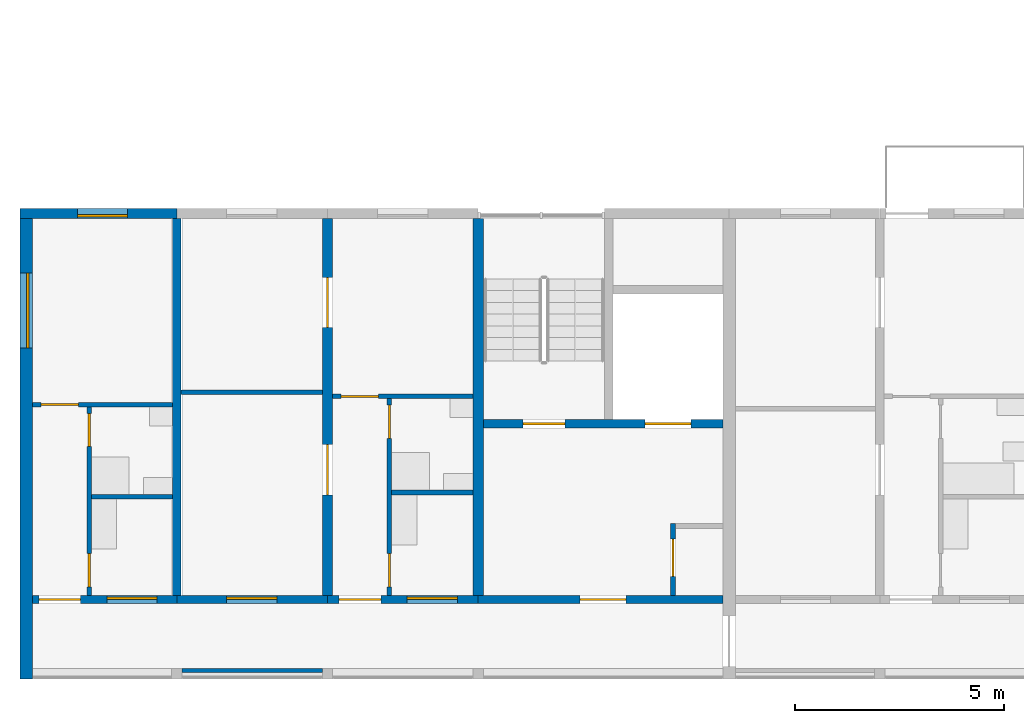
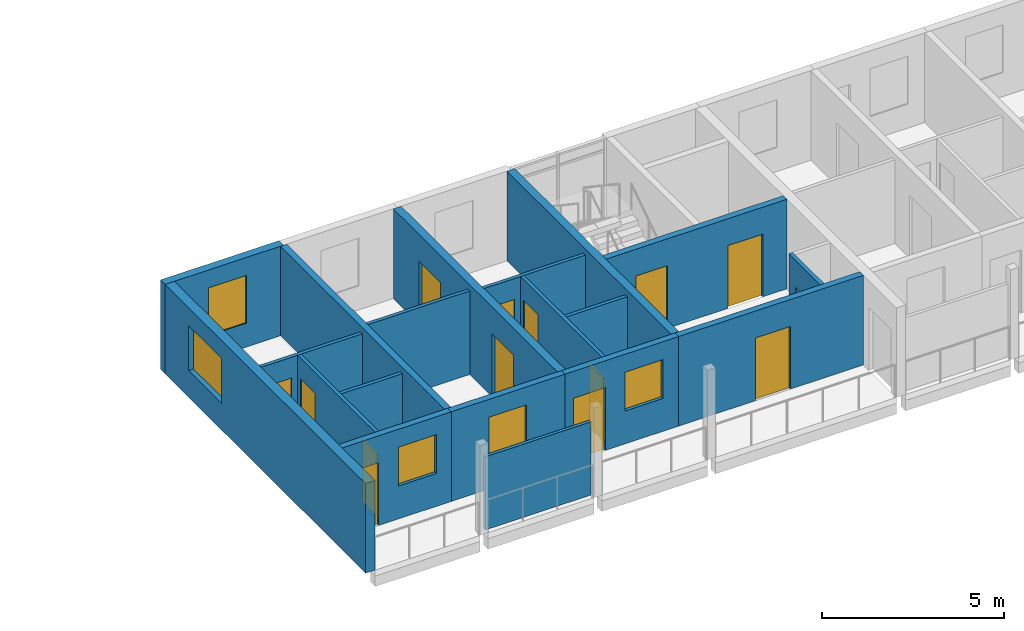
# One storey, part 28 of 99: 19 walls, 14 doors, 5 windows, 19 openings.
"""IFC4 building model written with IfcOpenShell, lengths in metres."""

from ifc_helpers import new_model, si_unit, direction, frame, frame_2d, origin, place, context, subcontext, project, spatial, rectangle, extrude, material, layer, layer_set, type_object, element, fill, save


model = new_model("IFC4")

# Units and contexts
model_context = context("Model", 3, precision=1e-05, world=origin(), true_north=direction((0.0, 1.0)))
body_context = subcontext(model_context, "Body", "Model", "MODEL_VIEW")
ifc_project = project(units=[si_unit("LENGTHUNIT", "METRE"), si_unit("AREAUNIT", "SQUARE_METRE"), si_unit("VOLUMEUNIT", "CUBIC_METRE"), si_unit("PLANEANGLEUNIT", "RADIAN"), si_unit("MASSUNIT", "GRAM", prefix="KILO")], contexts=[model_context])

# Site, building, storey
site_placement = place(None, origin())
site = spatial("IfcSite", under=ifc_project, at=site_placement, CompositionType="ELEMENT")
building_placement = place(site_placement, origin())
building = spatial("IfcBuilding", under=site, at=building_placement, Name="Ridgestep Commons", CompositionType="ELEMENT")
storey_placement = place(building_placement, frame((0.0, 0.0, 15.0)))
storey = spatial("IfcBuildingStorey", under=building, at=storey_placement, Name="L05", CompositionType="ELEMENT", Elevation=15.0)

# Wall
ifc_material_1 = material(Name="Concrete C30/37", Category="concrete")
ifc_layer_1 = layer(ifc_material_1, 0.25)
ifc_layer_set_1 = layer_set([ifc_layer_1], Name="Core cross wall 250")
wall_type_1 = type_object("IfcWallType", Name="Core cross wall 250", PredefinedType="SHEAR", material=ifc_layer_set_1)
wall_1_placement = place(storey_placement, frame((22.800048828125, 13.75, 0.0), z_axis=(0.0, 0.0, 1.0), x_axis=(0.0, 1.0, 0.0)))
element("IfcWall", 1, at=wall_1_placement, inside=storey, type_object=wall_type_1, Name="Cross wall A-05-0228", PredefinedType="SHEAR", context=body_context, shape_type="SweptSolid", body=[
    extrude(rectangle(XDim=9.0, YDim=0.25, at=frame_2d((4.5, 0.0))), origin(), (0.0, 0.0, 1.0), 3.0),
])

# Wall, opening, door
ifc_material_2 = material(Name="Concrete C30/37", Category="concrete")
ifc_layer_2 = layer(ifc_material_2, 0.199951171875)
ifc_layer_set_2 = layer_set([ifc_layer_2], Name="Core south wall 200")
wall_type_2 = type_object("IfcWallType", Name="Core south wall 200", PredefinedType="SHEAR", material=ifc_layer_set_2)
wall_2_placement = place(storey_placement, frame((22.800048828125, 13.64990234375, 0.0), z_axis=(0.0, 0.0, 1.0), x_axis=(1.0, 0.0, 0.0)))
wall_2 = element("IfcWall", 2, at=wall_2_placement, inside=storey, type_object=wall_type_2, Name="Core south wall A1C L05", PredefinedType="SHEAR", context=body_context, shape_type="SweptSolid", body=[
    extrude(rectangle(XDim=5.849853515625, YDim=0.199951171875, at=frame_2d((2.9248046875, 0.0))), origin(), (0.0, 0.0, 1.0), 3.0),
])
opening_1_placement = place(wall_2_placement, frame((2.4375, 0.0, 0.0)))
opening_1 = element("IfcOpeningElement", 3, at=opening_1_placement, cuts=wall_2, Name="Opening A1C/05/1", PredefinedType="OPENING", context=body_context, shape_type="SweptSolid", body=[
    extrude(rectangle(XDim=1.10009765625, YDim=2.10009765625, at=frame_2d((0.550048828125, 1.050048828125))), frame((0.0, 0.10986328125, 0.0), z_axis=(0.0, -1.0, 0.0), x_axis=(1.0, 0.0, 0.0)), (0.0, 0.0, 1.0), 0.219970703125),
])
ifc_material_3 = material(Name="Steel fire door", Category="steel")
door_type_1 = type_object("IfcDoorType", Name="Lobby door 1100 x 2100 FD60", OperationType="NOTDEFINED", PredefinedType="DOOR", material=ifc_material_3)
door_1_placement = place(opening_1_placement, origin())
door_1 = element("IfcDoor", 4, at=door_1_placement, inside=storey, type_object=door_type_1, Name="Lobby door A1C/05/1", OperationType="SINGLE_SWING_LEFT", OverallHeight=2.10009765625, OverallWidth=1.10009765625, PredefinedType="DOOR", context=body_context, shape_type="SweptSolid", body=[
    extrude(rectangle(XDim=1.10009765625, YDim=2.10009765625, at=frame_2d((0.550048828125, 1.050048828125))), frame((0.0, 0.02490234375, 0.0), z_axis=(0.0, -1.0, 0.0), x_axis=(1.0, 0.0, 0.0)), (0.0, 0.0, 1.0), 0.050048828125),
])
fill(opening_1, door_1)

ifc_material_4 = material(Name="Concrete C30/37", Category="concrete")
ifc_layer_3 = layer(ifc_material_4, 0.1201171875)
ifc_layer_set_3 = layer_set([ifc_layer_3], Name="Core wall 120")
wall_type_3 = type_object("IfcWallType", Name="Core wall 120", PredefinedType="SHEAR", material=ifc_layer_set_3)
wall_3_placement = place(storey_placement, frame((27.4599609375, 13.75, 0.0), z_axis=(0.0, 0.0, 1.0), x_axis=(0.0, 1.0, 0.0)))
wall_3 = element("IfcWall", 5, at=wall_3_placement, inside=storey, type_object=wall_type_3, Name="Core riser w wall A1C L05", PredefinedType="SHEAR", context=body_context, shape_type="SweptSolid", body=[
    extrude(rectangle(XDim=1.719970703125, YDim=0.1201171875, at=frame_2d((0.85986328125, 0.0))), origin(), (0.0, 0.0, 1.0), 3.0),
])
opening_2_placement = place(wall_3_placement, frame((0.449951171875, 0.0, 0.0)))
opening_2 = element("IfcOpeningElement", 6, at=opening_2_placement, cuts=wall_3, Name="Opening A1C/05/4", PredefinedType="OPENING", context=body_context, shape_type="SweptSolid", body=[
    extrude(rectangle(XDim=0.89990234375, YDim=2.10009765625, at=frame_2d((0.449951171875, 1.050048828125))), frame((0.0, 0.070068359375, 0.0), z_axis=(0.0, -1.0, 0.0), x_axis=(1.0, 0.0, 0.0)), (0.0, 0.0, 1.0), 0.14013671875),
])
ifc_material_5 = material(Name="Steel fire door", Category="steel")
door_type_2 = type_object("IfcDoorType", Name="Riser door 900 x 2100 FD60", OperationType="NOTDEFINED", PredefinedType="DOOR", material=ifc_material_5)
door_2_placement = place(opening_2_placement, origin())
door_2 = element("IfcDoor", 7, at=door_2_placement, inside=storey, type_object=door_type_2, Name="Riser door A1C/05/4", OperationType="SINGLE_SWING_LEFT", OverallHeight=2.10009765625, OverallWidth=0.89990234375, PredefinedType="DOOR", context=body_context, shape_type="SweptSolid", body=[
    extrude(rectangle(XDim=0.89990234375, YDim=2.10009765625, at=frame_2d((0.449951171875, 1.050048828125))), frame((0.0, 0.02490234375, 0.0), z_axis=(0.0, -1.0, 0.0), x_axis=(1.0, 0.0, 0.0)), (0.0, 0.0, 1.0), 0.050048828125),
])
fill(opening_2, door_2)

# Wall, openings, doors
ifc_material_6 = material(Name="Concrete C30/37", Category="concrete")
ifc_layer_4 = layer(ifc_material_6, 0.199951171875)
ifc_layer_set_4 = layer_set([ifc_layer_4], Name="Core wall 200")
wall_type_4 = type_object("IfcWallType", Name="Core wall 200", PredefinedType="SHEAR", material=ifc_layer_set_4)
wall_4_placement = place(storey_placement, frame((22.925048828125, 17.85009765625, 0.0), z_axis=(0.0, 0.0, 1.0), x_axis=(1.0, 0.0, 0.0)))
wall_4 = element("IfcWall", 8, at=wall_4_placement, inside=storey, type_object=wall_type_4, Name="Core lobby wall A1C L05", PredefinedType="SHEAR", context=body_context, shape_type="SweptSolid", body=[
    extrude(rectangle(XDim=5.724853515625, YDim=0.199951171875, at=frame_2d((2.8623046875, 0.0))), origin(), (0.0, 0.0, 1.0), 3.0),
])
opening_3_placement = place(wall_4_placement, frame((0.949951171875, 0.0, 0.0)))
opening_3 = element("IfcOpeningElement", 9, at=opening_3_placement, cuts=wall_4, Name="Opening A1C/05/2", PredefinedType="OPENING", context=body_context, shape_type="SweptSolid", body=[
    extrude(rectangle(XDim=1.0, YDim=2.10009765625, at=frame_2d((0.5, 1.050048828125))), frame((0.0, 0.10986328125, 0.0), z_axis=(0.0, -1.0, 0.0), x_axis=(1.0, 0.0, 0.0)), (0.0, 0.0, 1.0), 0.219970703125),
])
opening_4_placement = place(wall_4_placement, frame((3.862548828125, 0.0, 0.0)))
opening_4 = element("IfcOpeningElement", 10, at=opening_4_placement, cuts=wall_4, Name="Opening A1C/05/3", PredefinedType="OPENING", context=body_context, shape_type="SweptSolid", body=[
    extrude(rectangle(XDim=1.10009765625, YDim=2.10009765625, at=frame_2d((0.550048828125, 1.050048828125))), frame((0.0, 0.10986328125, 0.0), z_axis=(0.0, -1.0, 0.0), x_axis=(1.0, 0.0, 0.0)), (0.0, 0.0, 1.0), 0.219970703125),
])
ifc_material_7 = material(Name="Stainless steel", Category="steel")
door_type_3 = type_object("IfcDoorType", Name="Lift landing door 1100 x 2100 FD60", OperationType="DOUBLE_DOOR_SLIDING", PredefinedType="DOOR", material=ifc_material_7)
door_3_placement = place(opening_4_placement, origin())
door_3 = element("IfcDoor", 11, at=door_3_placement, inside=storey, type_object=door_type_3, Name="Landing door LD A1C L05", OperationType="DOUBLE_DOOR_SLIDING", OverallHeight=2.10009765625, OverallWidth=1.10009765625, PredefinedType="DOOR", context=body_context, shape_type="SweptSolid", body=[
    extrude(rectangle(XDim=1.10009765625, YDim=2.10009765625, at=frame_2d((0.550048828125, 1.050048828125))), frame((0.0, 0.02490234375, 0.0), z_axis=(0.0, -1.0, 0.0), x_axis=(1.0, 0.0, 0.0)), (0.0, 0.0, 1.0), 0.050048828125),
])
fill(opening_4, door_3)
ifc_material_8 = material(Name="Steel fire door", Category="steel")
door_type_4 = type_object("IfcDoorType", Name="Stair door 1000 x 2100 FD60", OperationType="NOTDEFINED", PredefinedType="DOOR", material=ifc_material_8)
door_4_placement = place(opening_3_placement, origin())
door_4 = element("IfcDoor", 12, at=door_4_placement, inside=storey, type_object=door_type_4, Name="Stair door A1C/05/2", OperationType="SINGLE_SWING_RIGHT", OverallHeight=2.10009765625, OverallWidth=1.0, PredefinedType="DOOR", context=body_context, shape_type="SweptSolid", body=[
    extrude(rectangle(XDim=1.0, YDim=2.10009765625, at=frame_2d((0.5, 1.050048828125))), frame((0.0, 0.02490234375, 0.0), z_axis=(0.0, -1.0, 0.0), x_axis=(1.0, 0.0, 0.0)), (0.0, 0.0, 1.0), 0.050048828125),
])
fill(opening_3, door_4)

# Wall
ifc_material_9 = material(Name="Precast concrete C40/50", Category="concrete")
ifc_layer_5 = layer(ifc_material_9, 0.199951171875)
ifc_layer_set_5 = layer_set([ifc_layer_5], Name="Cross wall 200")
wall_type_5 = type_object("IfcWallType", Name="Cross wall 200", PredefinedType="SHEAR", material=ifc_layer_set_5)
wall_5_placement = place(storey_placement, frame((15.60009765625, 13.75, 0.0), z_axis=(0.0, 0.0, 1.0), x_axis=(0.0, 1.0, 0.0)))
element("IfcWall", 13, at=wall_5_placement, inside=storey, type_object=wall_type_5, Name="Cross wall A-05-0156", PredefinedType="SHEAR", context=body_context, shape_type="SweptSolid", body=[
    extrude(rectangle(XDim=9.0, YDim=0.199951171875, at=frame_2d((4.5, 0.0))), origin(), (0.0, 0.0, 1.0), 3.0),
])

# Wall, openings, doors
ifc_material_10 = material(Name="Precast concrete C40/50", Category="concrete")
ifc_layer_6 = layer(ifc_material_10, 0.25)
ifc_layer_set_6 = layer_set([ifc_layer_6], Name="Cross wall 250")
wall_type_6 = type_object("IfcWallType", Name="Cross wall 250", PredefinedType="SHEAR", material=ifc_layer_set_6)
wall_6_placement = place(storey_placement, frame((19.199951171875, 13.75, 0.0), z_axis=(0.0, 0.0, 1.0), x_axis=(0.0, 1.0, 0.0)))
wall_6 = element("IfcWall", 14, at=wall_6_placement, inside=storey, type_object=wall_type_6, Name="Cross wall A-05-0192", PredefinedType="SHEAR", context=body_context, shape_type="SweptSolid", body=[
    extrude(rectangle(XDim=9.0, YDim=0.25, at=frame_2d((4.5, 0.0))), origin(), (0.0, 0.0, 1.0), 3.0),
])
opening_5_placement = place(wall_6_placement, frame((2.39990234375, 0.0, 0.0)))
opening_5 = element("IfcOpeningElement", 15, at=opening_5_placement, cuts=wall_6, Name="Opening A1-05b/5", PredefinedType="OPENING", context=body_context, shape_type="SweptSolid", body=[
    extrude(rectangle(XDim=1.199951171875, YDim=2.10009765625, at=frame_2d((0.60009765625, 1.050048828125))), frame((0.0, 0.135009765625, 0.0), z_axis=(0.0, -1.0, 0.0), x_axis=(1.0, 0.0, 0.0)), (0.0, 0.0, 1.0), 0.27001953125),
])
opening_6_placement = place(wall_6_placement, frame((6.39990234375, 0.0, 0.0)))
opening_6 = element("IfcOpeningElement", 16, at=opening_6_placement, cuts=wall_6, Name="Opening A1-05b/6", PredefinedType="OPENING", context=body_context, shape_type="SweptSolid", body=[
    extrude(rectangle(XDim=1.199951171875, YDim=2.10009765625, at=frame_2d((0.60009765625, 1.050048828125))), frame((0.0, 0.135009765625, 0.0), z_axis=(0.0, -1.0, 0.0), x_axis=(1.0, 0.0, 0.0)), (0.0, 0.0, 1.0), 0.27001953125),
])
ifc_material_11 = material(Name="Timber door leaf", Category="wood")
door_type_5 = type_object("IfcDoorType", Name="Double door 1200 x 2100", OperationType="DOUBLE_DOOR_SINGLE_SWING", PredefinedType="DOOR", material=ifc_material_11)
door_5_placement = place(opening_5_placement, origin())
door_5 = element("IfcDoor", 17, at=door_5_placement, inside=storey, type_object=door_type_5, Name="Double door A1-05b/5", OperationType="DOUBLE_DOOR_SINGLE_SWING", OverallHeight=2.10009765625, OverallWidth=1.199951171875, PredefinedType="DOOR", context=body_context, shape_type="SweptSolid", body=[
    extrude(rectangle(XDim=1.199951171875, YDim=2.10009765625, at=frame_2d((0.60009765625, 1.050048828125))), frame((0.0, 0.02490234375, 0.0), z_axis=(0.0, -1.0, 0.0), x_axis=(1.0, 0.0, 0.0)), (0.0, 0.0, 1.0), 0.050048828125),
])
fill(opening_5, door_5)
door_6_placement = place(opening_6_placement, origin())
door_6 = element("IfcDoor", 18, at=door_6_placement, inside=storey, type_object=door_type_5, Name="Double door A1-05b/6", OperationType="DOUBLE_DOOR_SINGLE_SWING", OverallHeight=2.10009765625, OverallWidth=1.199951171875, PredefinedType="DOOR", context=body_context, shape_type="SweptSolid", body=[
    extrude(rectangle(XDim=1.199951171875, YDim=2.10009765625, at=frame_2d((0.60009765625, 1.050048828125))), frame((0.0, 0.02490234375, 0.0), z_axis=(0.0, -1.0, 0.0), x_axis=(1.0, 0.0, 0.0)), (0.0, 0.0, 1.0), 0.050048828125),
])
fill(opening_6, door_6)

# Wall, opening, window
ifc_material_12 = material(Name="Precast concrete C40/50", Category="concrete")
ifc_layer_7 = layer(ifc_material_12, 0.300048828125)
ifc_layer_set_7 = layer_set([ifc_layer_7], Name="Exposed division wall 300")
wall_type_7 = type_object("IfcWallType", Name="Exposed division wall 300", PredefinedType="SHEAR", material=ifc_layer_set_7)
wall_7_placement = place(storey_placement, frame((12.0, 11.75, 0.0), z_axis=(0.0, 0.0, 1.0), x_axis=(0.0, 1.0, 0.0)))
wall_7 = element("IfcWall", 19, at=wall_7_placement, inside=storey, type_object=wall_type_7, Name="Cross wall A-05-0120", PredefinedType="SHEAR", context=body_context, shape_type="SweptSolid", body=[
    extrude(rectangle(XDim=11.0, YDim=0.300048828125, at=frame_2d((5.5, 0.0))), origin(), (0.0, 0.0, 1.0), 3.0),
])
opening_7_placement = place(wall_7_placement, frame((7.905029296875, 0.0, 0.89990234375)))
opening_7 = element("IfcOpeningElement", 20, at=opening_7_placement, cuts=wall_7, Name="Opening W20", PredefinedType="OPENING", context=body_context, shape_type="SweptSolid", body=[
    extrude(rectangle(XDim=1.800048828125, YDim=1.5, at=frame_2d((0.89990234375, 0.75))), frame((0.0, 0.159912109375, 0.0), z_axis=(0.0, -1.0, 0.0), x_axis=(1.0, 0.0, 0.0)), (0.0, 0.0, 1.0), 0.320068359375),
])
ifc_material_13 = material(Name="Aluminium 6063-T6 and glass", Category="aluminium")
window_type_1 = type_object("IfcWindowType", Name="Flat window 1800 x 1500", PartitioningType="DOUBLE_PANEL_VERTICAL", PredefinedType="WINDOW", material=ifc_material_13)
window_1_placement = place(opening_7_placement, origin())
window_1 = element("IfcWindow", 21, at=window_1_placement, inside=storey, type_object=window_type_1, Name="Window A1-05a 3", OverallHeight=1.5, OverallWidth=1.800048828125, PartitioningType="SINGLE_PANEL", PredefinedType="WINDOW", context=body_context, shape_type="SweptSolid", body=[
    extrude(rectangle(XDim=1.800048828125, YDim=1.5, at=frame_2d((0.89990234375, 0.75))), frame((0.0, 0.0, 0.0), z_axis=(0.0, -1.0, 0.0), x_axis=(1.0, 0.0, 0.0)), (0.0, 0.0, 1.0), 0.06005859375),
])
fill(opening_7, window_1)

ifc_material_14 = material(Name="Precast concrete C40/50", Category="concrete")
ifc_layer_8 = layer(ifc_material_14, 0.25)
ifc_layer_set_8 = layer_set([ifc_layer_8], Name="North facade panel 250")
wall_type_8 = type_object("IfcWallType", Name="North facade panel 250", PredefinedType="SOLIDWALL", material=ifc_layer_set_8)
wall_8_placement = place(storey_placement, frame((11.85009765625, 22.875, 0.0), z_axis=(0.0, 0.0, 1.0), x_axis=(1.0, 0.0, 0.0)))
wall_8 = element("IfcWall", 22, at=wall_8_placement, inside=storey, type_object=wall_type_8, Name="North panel A1T1 L05", PredefinedType="SOLIDWALL", context=body_context, shape_type="SweptSolid", body=[
    extrude(rectangle(XDim=3.75, YDim=0.25, at=frame_2d((1.875, 0.0))), origin(), (0.0, 0.0, 1.0), 3.0),
])
opening_8_placement = place(wall_8_placement, frame((1.375, 0.0, 0.800048828125)))
opening_8 = element("IfcOpeningElement", 23, at=opening_8_placement, cuts=wall_8, Name="Opening W11", PredefinedType="OPENING", context=body_context, shape_type="SweptSolid", body=[
    extrude(rectangle(XDim=1.199951171875, YDim=1.60009765625, at=frame_2d((0.60009765625, 0.800048828125))), frame((0.0, 0.135009765625, 0.0), z_axis=(0.0, -1.0, 0.0), x_axis=(1.0, 0.0, 0.0)), (0.0, 0.0, 1.0), 0.27001953125),
])
ifc_material_15 = material(Name="Aluminium 6063-T6 and glass", Category="aluminium")
window_type_2 = type_object("IfcWindowType", Name="Flat window 1200 x 1600", PartitioningType="SINGLE_PANEL", PredefinedType="WINDOW", material=ifc_material_15)
window_2_placement = place(opening_8_placement, origin())
window_2 = element("IfcWindow", 24, at=window_2_placement, inside=storey, type_object=window_type_2, Name="Window A1-05a 2", OverallHeight=1.60009765625, OverallWidth=1.199951171875, PartitioningType="SINGLE_PANEL", PredefinedType="WINDOW", context=body_context, shape_type="SweptSolid", body=[
    extrude(rectangle(XDim=1.199951171875, YDim=1.60009765625, at=frame_2d((0.60009765625, 0.800048828125))), frame((0.0, -0.02490234375, 0.0), z_axis=(0.0, -1.0, 0.0), x_axis=(1.0, 0.0, 0.0)), (0.0, 0.0, 1.0), 0.06005859375),
])
fill(opening_8, window_2)

# Wall, openings, doors
ifc_material_16 = material(Name="Common brick 110 mm", Category="masonry")
ifc_layer_9 = layer(ifc_material_16, 0.110107421875)
ifc_layer_set_9 = layer_set([ifc_layer_9], Name="Partition 110")
wall_type_9 = type_object("IfcWallType", Name="Partition 110", PredefinedType="PARTITIONING", material=ifc_layer_set_9)
wall_9_placement = place(storey_placement, frame((13.5048828125, 13.75, 0.0), z_axis=(0.0, 0.0, 1.0), x_axis=(0.0, 1.0, 0.0)))
wall_9 = element("IfcWall", 25, at=wall_9_placement, inside=storey, type_object=wall_type_9, Name="Partition A1-05a", PredefinedType="PARTITIONING", context=body_context, shape_type="SweptSolid", body=[
    extrude(rectangle(XDim=4.5, YDim=0.110107421875, at=frame_2d((2.25, 0.0))), origin(), (0.0, 0.0, 1.0), 2.800048828125),
])
opening_9_placement = place(wall_9_placement, frame((0.199951171875, 0.0, 0.0)))
opening_9 = element("IfcOpeningElement", 26, at=opening_9_placement, cuts=wall_9, Name="Opening A1-05a/2", PredefinedType="OPENING", context=body_context, shape_type="SweptSolid", body=[
    extrude(rectangle(XDim=0.800048828125, YDim=2.10009765625, at=frame_2d((0.39990234375, 1.050048828125))), frame((0.0, 0.06494140625, 0.0), z_axis=(0.0, -1.0, 0.0), x_axis=(1.0, 0.0, 0.0)), (0.0, 0.0, 1.0), 0.130126953125),
])
opening_10_placement = place(wall_9_placement, frame((3.550048828125, 0.0, 0.0)))
opening_10 = element("IfcOpeningElement", 27, at=opening_10_placement, cuts=wall_9, Name="Opening A1-05a/3", PredefinedType="OPENING", context=body_context, shape_type="SweptSolid", body=[
    extrude(rectangle(XDim=0.800048828125, YDim=2.10009765625, at=frame_2d((0.39990234375, 1.050048828125))), frame((0.0, 0.06494140625, 0.0), z_axis=(0.0, -1.0, 0.0), x_axis=(1.0, 0.0, 0.0)), (0.0, 0.0, 1.0), 0.130126953125),
])
ifc_material_17 = material(Name="Timber door leaf", Category="wood")
door_type_6 = type_object("IfcDoorType", Name="Internal door 800 x 2100", OperationType="NOTDEFINED", PredefinedType="DOOR", material=ifc_material_17)
door_7_placement = place(opening_9_placement, origin())
door_7 = element("IfcDoor", 28, at=door_7_placement, inside=storey, type_object=door_type_6, Name="Internal door A1-05a/2", OperationType="SINGLE_SWING_RIGHT", OverallHeight=2.10009765625, OverallWidth=0.800048828125, PredefinedType="DOOR", context=body_context, shape_type="SweptSolid", body=[
    extrude(rectangle(XDim=0.800048828125, YDim=2.10009765625, at=frame_2d((0.39990234375, 1.050048828125))), frame((0.0, 0.02490234375, 0.0), z_axis=(0.0, -1.0, 0.0), x_axis=(1.0, 0.0, 0.0)), (0.0, 0.0, 1.0), 0.050048828125),
])
fill(opening_9, door_7)
door_8_placement = place(opening_10_placement, origin())
door_8 = element("IfcDoor", 29, at=door_8_placement, inside=storey, type_object=door_type_6, Name="Internal door A1-05a/3", OperationType="SINGLE_SWING_LEFT", OverallHeight=2.10009765625, OverallWidth=0.800048828125, PredefinedType="DOOR", context=body_context, shape_type="SweptSolid", body=[
    extrude(rectangle(XDim=0.800048828125, YDim=2.10009765625, at=frame_2d((0.39990234375, 1.050048828125))), frame((0.0, 0.02490234375, 0.0), z_axis=(0.0, -1.0, 0.0), x_axis=(1.0, 0.0, 0.0)), (0.0, 0.0, 1.0), 0.050048828125),
])
fill(opening_10, door_8)

# Wall
wall_10_placement = place(storey_placement, frame((13.56005859375, 16.10498046875, 0.0), z_axis=(0.0, 0.0, 1.0), x_axis=(1.0, 0.0, 0.0)))
element("IfcWall", 30, at=wall_10_placement, inside=storey, type_object=wall_type_9, Name="Partition A1-05a", PredefinedType="PARTITIONING", context=body_context, shape_type="SweptSolid", body=[
    extrude(rectangle(XDim=1.93994140625, YDim=0.110107421875, at=frame_2d((0.969970703125, 0.0))), origin(), (0.0, 0.0, 1.0), 2.800048828125),
])

# Wall, opening, door
wall_11_placement = place(storey_placement, frame((12.14990234375, 18.304931640625, 0.0), z_axis=(0.0, 0.0, 1.0), x_axis=(1.0, 0.0, 0.0)))
wall_11 = element("IfcWall", 31, at=wall_11_placement, inside=storey, type_object=wall_type_9, Name="Partition A1-05a", PredefinedType="PARTITIONING", context=body_context, shape_type="SweptSolid", body=[
    extrude(rectangle(XDim=3.35009765625, YDim=0.110107421875, at=frame_2d((1.675048828125, 0.0))), origin(), (0.0, 0.0, 1.0), 2.800048828125),
])
opening_11_placement = place(wall_11_placement, frame((0.199951171875, 0.0, 0.0)))
opening_11 = element("IfcOpeningElement", 32, at=opening_11_placement, cuts=wall_11, Name="Opening A1-05a/4", PredefinedType="OPENING", context=body_context, shape_type="SweptSolid", body=[
    extrude(rectangle(XDim=0.89990234375, YDim=2.10009765625, at=frame_2d((0.449951171875, 1.050048828125))), frame((0.0, 0.06494140625, 0.0), z_axis=(0.0, -1.0, 0.0), x_axis=(1.0, 0.0, 0.0)), (0.0, 0.0, 1.0), 0.130126953125),
])
ifc_material_18 = material(Name="Timber door leaf", Category="wood")
door_type_7 = type_object("IfcDoorType", Name="Internal door 900 x 2100", OperationType="NOTDEFINED", PredefinedType="DOOR", material=ifc_material_18)
door_9_placement = place(opening_11_placement, origin())
door_9 = element("IfcDoor", 33, at=door_9_placement, inside=storey, type_object=door_type_7, Name="Internal door A1-05a/4", OperationType="SINGLE_SWING_LEFT", OverallHeight=2.10009765625, OverallWidth=0.89990234375, PredefinedType="DOOR", context=body_context, shape_type="SweptSolid", body=[
    extrude(rectangle(XDim=0.89990234375, YDim=2.10009765625, at=frame_2d((0.449951171875, 1.050048828125))), frame((0.0, 0.02490234375, 0.0), z_axis=(0.0, -1.0, 0.0), x_axis=(1.0, 0.0, 0.0)), (0.0, 0.0, 1.0), 0.050048828125),
])
fill(opening_11, door_9)

# Wall, openings, doors
wall_12_placement = place(storey_placement, frame((20.679931640625, 13.75, 0.0), z_axis=(0.0, 0.0, 1.0), x_axis=(0.0, 1.0, 0.0)))
wall_12 = element("IfcWall", 34, at=wall_12_placement, inside=storey, type_object=wall_type_9, Name="Partition A1-05b", PredefinedType="PARTITIONING", context=body_context, shape_type="SweptSolid", body=[
    extrude(rectangle(XDim=4.699951171875, YDim=0.110107421875, at=frame_2d((2.35009765625, 0.0))), origin(), (0.0, 0.0, 1.0), 2.800048828125),
])
opening_12_placement = place(wall_12_placement, frame((0.199951171875, 0.0, 0.0)))
opening_12 = element("IfcOpeningElement", 35, at=opening_12_placement, cuts=wall_12, Name="Opening A1-05b/2", PredefinedType="OPENING", context=body_context, shape_type="SweptSolid", body=[
    extrude(rectangle(XDim=0.800048828125, YDim=2.10009765625, at=frame_2d((0.39990234375, 1.050048828125))), frame((0.0, 0.06494140625, 0.0), z_axis=(0.0, -1.0, 0.0), x_axis=(1.0, 0.0, 0.0)), (0.0, 0.0, 1.0), 0.130126953125),
])
opening_13_placement = place(wall_12_placement, frame((3.75, 0.0, 0.0)))
opening_13 = element("IfcOpeningElement", 36, at=opening_13_placement, cuts=wall_12, Name="Opening A1-05b/3", PredefinedType="OPENING", context=body_context, shape_type="SweptSolid", body=[
    extrude(rectangle(XDim=0.800048828125, YDim=2.10009765625, at=frame_2d((0.39990234375, 1.050048828125))), frame((0.0, 0.06494140625, 0.0), z_axis=(0.0, -1.0, 0.0), x_axis=(1.0, 0.0, 0.0)), (0.0, 0.0, 1.0), 0.130126953125),
])
door_10_placement = place(opening_12_placement, origin())
door_10 = element("IfcDoor", 37, at=door_10_placement, inside=storey, type_object=door_type_6, Name="Internal door A1-05b/2", OperationType="SINGLE_SWING_RIGHT", OverallHeight=2.10009765625, OverallWidth=0.800048828125, PredefinedType="DOOR", context=body_context, shape_type="SweptSolid", body=[
    extrude(rectangle(XDim=0.800048828125, YDim=2.10009765625, at=frame_2d((0.39990234375, 1.050048828125))), frame((0.0, 0.02490234375, 0.0), z_axis=(0.0, -1.0, 0.0), x_axis=(1.0, 0.0, 0.0)), (0.0, 0.0, 1.0), 0.050048828125),
])
fill(opening_12, door_10)
door_11_placement = place(opening_13_placement, origin())
door_11 = element("IfcDoor", 38, at=door_11_placement, inside=storey, type_object=door_type_6, Name="Internal door A1-05b/3", OperationType="SINGLE_SWING_LEFT", OverallHeight=2.10009765625, OverallWidth=0.800048828125, PredefinedType="DOOR", context=body_context, shape_type="SweptSolid", body=[
    extrude(rectangle(XDim=0.800048828125, YDim=2.10009765625, at=frame_2d((0.39990234375, 1.050048828125))), frame((0.0, 0.02490234375, 0.0), z_axis=(0.0, -1.0, 0.0), x_axis=(1.0, 0.0, 0.0)), (0.0, 0.0, 1.0), 0.050048828125),
])
fill(opening_13, door_11)

# Wall
wall_13_placement = place(storey_placement, frame((20.735107421875, 16.205078125, 0.0), z_axis=(0.0, 0.0, 1.0), x_axis=(1.0, 0.0, 0.0)))
element("IfcWall", 39, at=wall_13_placement, inside=storey, type_object=wall_type_9, Name="Partition A1-05b", PredefinedType="PARTITIONING", context=body_context, shape_type="SweptSolid", body=[
    extrude(rectangle(XDim=1.93994140625, YDim=0.110107421875, at=frame_2d((0.969970703125, 0.0))), origin(), (0.0, 0.0, 1.0), 2.800048828125),
])

# Wall, opening, door
wall_14_placement = place(storey_placement, frame((19.324951171875, 18.5048828125, 0.0), z_axis=(0.0, 0.0, 1.0), x_axis=(1.0, 0.0, 0.0)))
wall_14 = element("IfcWall", 40, at=wall_14_placement, inside=storey, type_object=wall_type_9, Name="Partition A1-05b", PredefinedType="PARTITIONING", context=body_context, shape_type="SweptSolid", body=[
    extrude(rectangle(XDim=3.35009765625, YDim=0.110107421875, at=frame_2d((1.675048828125, 0.0))), origin(), (0.0, 0.0, 1.0), 2.800048828125),
])
opening_14_placement = place(wall_14_placement, frame((0.199951171875, 0.0, 0.0)))
opening_14 = element("IfcOpeningElement", 41, at=opening_14_placement, cuts=wall_14, Name="Opening A1-05b/4", PredefinedType="OPENING", context=body_context, shape_type="SweptSolid", body=[
    extrude(rectangle(XDim=0.89990234375, YDim=2.10009765625, at=frame_2d((0.449951171875, 1.050048828125))), frame((0.0, 0.06494140625, 0.0), z_axis=(0.0, -1.0, 0.0), x_axis=(1.0, 0.0, 0.0)), (0.0, 0.0, 1.0), 0.130126953125),
])
door_12_placement = place(opening_14_placement, origin())
door_12 = element("IfcDoor", 42, at=door_12_placement, inside=storey, type_object=door_type_7, Name="Internal door A1-05b/4", OperationType="SINGLE_SWING_RIGHT", OverallHeight=2.10009765625, OverallWidth=0.89990234375, PredefinedType="DOOR", context=body_context, shape_type="SweptSolid", body=[
    extrude(rectangle(XDim=0.89990234375, YDim=2.10009765625, at=frame_2d((0.449951171875, 1.050048828125))), frame((0.0, 0.02490234375, 0.0), z_axis=(0.0, -1.0, 0.0), x_axis=(1.0, 0.0, 0.0)), (0.0, 0.0, 1.0), 0.050048828125),
])
fill(opening_14, door_12)

# Walls
wall_15_placement = place(storey_placement, frame((15.699951171875, 18.60498046875, 0.0), z_axis=(0.0, 0.0, 1.0), x_axis=(1.0, 0.0, 0.0)))
element("IfcWall", 43, at=wall_15_placement, inside=storey, type_object=wall_type_9, Name="Partition A1-05b", PredefinedType="PARTITIONING", context=body_context, shape_type="SweptSolid", body=[
    extrude(rectangle(XDim=3.375, YDim=0.110107421875, at=frame_2d((1.6875, 0.0))), origin(), (0.0, 0.0, 1.0), 2.800048828125),
])
ifc_material_19 = material(Name="Precast concrete C30/37", Category="concrete")
ifc_layer_10 = layer(ifc_material_19, 0.10009765625)
ifc_layer_set_10 = layer_set([ifc_layer_10], Name="Perforated gallery screen 3350 x 2450 x 100")
wall_type_10 = type_object("IfcWallType", Name="Perforated gallery screen 3350 x 2450 x 100", PredefinedType="SOLIDWALL", material=ifc_layer_set_10)
wall_16_placement = place(storey_placement, frame((15.72509765625, 11.949951171875, 0.0), z_axis=(0.0, 0.0, 1.0), x_axis=(1.0, 0.0, 0.0)))
element("IfcWall", 44, at=wall_16_placement, inside=storey, type_object=wall_type_10, Name="Gallery screen A1T2 05", PredefinedType="SOLIDWALL", context=body_context, shape_type="SweptSolid", body=[
    extrude(rectangle(XDim=3.349853515625, YDim=0.10009765625, at=frame_2d((1.6748046875, 0.0))), origin(), (0.0, 0.0, 1.0), 2.449951171875),
])

# Wall, openings, door, window
ifc_material_20 = material(Name="Precast concrete C40/50", Category="concrete")
ifc_layer_11 = layer(ifc_material_20, 0.199951171875)
ifc_layer_set_11 = layer_set([ifc_layer_11], Name="South facade panel 200")
wall_type_11 = type_object("IfcWallType", Name="South facade panel 200", PredefinedType="SOLIDWALL", material=ifc_layer_set_11)
wall_17_placement = place(storey_placement, frame((12.14990234375, 13.64990234375, 0.0), z_axis=(0.0, 0.0, 1.0), x_axis=(1.0, 0.0, 0.0)))
wall_17 = element("IfcWall", 45, at=wall_17_placement, inside=storey, type_object=wall_type_11, Name="South panel A1T1 L05", PredefinedType="SOLIDWALL", context=body_context, shape_type="SweptSolid", body=[
    extrude(rectangle(XDim=3.4501953125, YDim=0.199951171875, at=frame_2d((1.72509765625, 0.0))), origin(), (0.0, 0.0, 1.0), 3.0),
])
opening_15_placement = place(wall_17_placement, frame((1.780029296875, 0.0, 1.10009765625)))
opening_15 = element("IfcOpeningElement", 46, at=opening_15_placement, cuts=wall_17, Name="Opening W08", PredefinedType="OPENING", context=body_context, shape_type="SweptSolid", body=[
    extrude(rectangle(XDim=1.199951171875, YDim=1.300048828125, at=frame_2d((0.60009765625, 0.64990234375))), frame((0.0, 0.10986328125, 0.0), z_axis=(0.0, -1.0, 0.0), x_axis=(1.0, 0.0, 0.0)), (0.0, 0.0, 1.0), 0.219970703125),
])
opening_16_placement = place(wall_17_placement, frame((0.14990234375, 0.0, 0.0)))
opening_16 = element("IfcOpeningElement", 47, at=opening_16_placement, cuts=wall_17, Name="Opening A1-05a/1", PredefinedType="OPENING", context=body_context, shape_type="SweptSolid", body=[
    extrude(rectangle(XDim=1.0, YDim=2.10009765625, at=frame_2d((0.5, 1.050048828125))), frame((0.0, 0.10986328125, 0.0), z_axis=(0.0, -1.0, 0.0), x_axis=(1.0, 0.0, 0.0)), (0.0, 0.0, 1.0), 0.219970703125),
])
ifc_material_21 = material(Name="Timber door leaf", Category="wood")
door_type_8 = type_object("IfcDoorType", Name="Flat entrance door 1000 x 2100 FD30S", OperationType="NOTDEFINED", PredefinedType="DOOR", material=ifc_material_21)
door_13_placement = place(opening_16_placement, origin())
door_13 = element("IfcDoor", 48, at=door_13_placement, inside=storey, type_object=door_type_8, Name="Flat entrance door A1-05a/1", OperationType="SINGLE_SWING_LEFT", OverallHeight=2.10009765625, OverallWidth=1.0, PredefinedType="DOOR", context=body_context, shape_type="SweptSolid", body=[
    extrude(rectangle(XDim=1.0, YDim=2.10009765625, at=frame_2d((0.5, 1.050048828125))), frame((0.0, 0.02490234375, 0.0), z_axis=(0.0, -1.0, 0.0), x_axis=(1.0, 0.0, 0.0)), (0.0, 0.0, 1.0), 0.050048828125),
])
fill(opening_16, door_13)
ifc_material_22 = material(Name="Aluminium 6063-T6 and glass", Category="aluminium")
window_type_3 = type_object("IfcWindowType", Name="Flat window 1200 x 1300", PartitioningType="SINGLE_PANEL", PredefinedType="WINDOW", material=ifc_material_22)
window_3_placement = place(opening_15_placement, origin())
window_3 = element("IfcWindow", 49, at=window_3_placement, inside=storey, type_object=window_type_3, Name="Window A1-05a 1", OverallHeight=1.300048828125, OverallWidth=1.199951171875, PartitioningType="SINGLE_PANEL", PredefinedType="WINDOW", context=body_context, shape_type="SweptSolid", body=[
    extrude(rectangle(XDim=1.199951171875, YDim=1.300048828125, at=frame_2d((0.60009765625, 0.64990234375))), frame((0.0, 0.06005859375, 0.0), z_axis=(0.0, -1.0, 0.0), x_axis=(1.0, 0.0, 0.0)), (0.0, 0.0, 1.0), 0.06005859375),
])
fill(opening_15, window_3)

# Wall, opening, window
wall_18_placement = place(storey_placement, frame((15.60009765625, 13.64990234375, 0.0), z_axis=(0.0, 0.0, 1.0), x_axis=(1.0, 0.0, 0.0)))
wall_18 = element("IfcWall", 50, at=wall_18_placement, inside=storey, type_object=wall_type_11, Name="South panel A1T2 L05", PredefinedType="SOLIDWALL", context=body_context, shape_type="SweptSolid", body=[
    extrude(rectangle(XDim=3.599853515625, YDim=0.199951171875, at=frame_2d((1.7998046875, 0.0))), origin(), (0.0, 0.0, 1.0), 3.0),
])
opening_17_placement = place(wall_18_placement, frame((1.1875, 0.0, 0.800048828125)))
opening_17 = element("IfcOpeningElement", 51, at=opening_17_placement, cuts=wall_18, Name="Opening W11", PredefinedType="OPENING", context=body_context, shape_type="SweptSolid", body=[
    extrude(rectangle(XDim=1.199951171875, YDim=1.60009765625, at=frame_2d((0.60009765625, 0.800048828125))), frame((0.0, 0.10986328125, 0.0), z_axis=(0.0, -1.0, 0.0), x_axis=(1.0, 0.0, 0.0)), (0.0, 0.0, 1.0), 0.219970703125),
])
window_4_placement = place(opening_17_placement, origin())
window_4 = element("IfcWindow", 52, at=window_4_placement, inside=storey, type_object=window_type_2, Name="Window A1-05b 1", OverallHeight=1.60009765625, OverallWidth=1.199951171875, PartitioningType="SINGLE_PANEL", PredefinedType="WINDOW", context=body_context, shape_type="SweptSolid", body=[
    extrude(rectangle(XDim=1.199951171875, YDim=1.60009765625, at=frame_2d((0.60009765625, 0.800048828125))), frame((0.0, 0.06005859375, 0.0), z_axis=(0.0, -1.0, 0.0), x_axis=(1.0, 0.0, 0.0)), (0.0, 0.0, 1.0), 0.06005859375),
])
fill(opening_17, window_4)

# Wall, openings, door, window
wall_19_placement = place(storey_placement, frame((19.199951171875, 13.64990234375, 0.0), z_axis=(0.0, 0.0, 1.0), x_axis=(1.0, 0.0, 0.0)))
wall_19 = element("IfcWall", 53, at=wall_19_placement, inside=storey, type_object=wall_type_11, Name="South panel A1T3 L05", PredefinedType="SOLIDWALL", context=body_context, shape_type="SweptSolid", body=[
    extrude(rectangle(XDim=3.60009765625, YDim=0.199951171875, at=frame_2d((1.800048828125, 0.0))), origin(), (0.0, 0.0, 1.0), 3.0),
])
opening_18_placement = place(wall_19_placement, frame((1.905029296875, 0.0, 1.10009765625)))
opening_18 = element("IfcOpeningElement", 54, at=opening_18_placement, cuts=wall_19, Name="Opening W08", PredefinedType="OPENING", context=body_context, shape_type="SweptSolid", body=[
    extrude(rectangle(XDim=1.199951171875, YDim=1.300048828125, at=frame_2d((0.60009765625, 0.64990234375))), frame((0.0, 0.10986328125, 0.0), z_axis=(0.0, -1.0, 0.0), x_axis=(1.0, 0.0, 0.0)), (0.0, 0.0, 1.0), 0.219970703125),
])
opening_19_placement = place(wall_19_placement, frame((0.27490234375, 0.0, 0.0)))
opening_19 = element("IfcOpeningElement", 55, at=opening_19_placement, cuts=wall_19, Name="Opening A1-05b/1", PredefinedType="OPENING", context=body_context, shape_type="SweptSolid", body=[
    extrude(rectangle(XDim=1.0, YDim=2.10009765625, at=frame_2d((0.5, 1.050048828125))), frame((0.0, 0.10986328125, 0.0), z_axis=(0.0, -1.0, 0.0), x_axis=(1.0, 0.0, 0.0)), (0.0, 0.0, 1.0), 0.219970703125),
])
door_14_placement = place(opening_19_placement, origin())
door_14 = element("IfcDoor", 56, at=door_14_placement, inside=storey, type_object=door_type_8, Name="Flat entrance door A1-05b/1", OperationType="SINGLE_SWING_LEFT", OverallHeight=2.10009765625, OverallWidth=1.0, PredefinedType="DOOR", context=body_context, shape_type="SweptSolid", body=[
    extrude(rectangle(XDim=1.0, YDim=2.10009765625, at=frame_2d((0.5, 1.050048828125))), frame((0.0, 0.02490234375, 0.0), z_axis=(0.0, -1.0, 0.0), x_axis=(1.0, 0.0, 0.0)), (0.0, 0.0, 1.0), 0.050048828125),
])
fill(opening_19, door_14)
window_5_placement = place(opening_18_placement, origin())
window_5 = element("IfcWindow", 57, at=window_5_placement, inside=storey, type_object=window_type_3, Name="Window A1-05b 3", OverallHeight=1.300048828125, OverallWidth=1.199951171875, PartitioningType="SINGLE_PANEL", PredefinedType="WINDOW", context=body_context, shape_type="SweptSolid", body=[
    extrude(rectangle(XDim=1.199951171875, YDim=1.300048828125, at=frame_2d((0.60009765625, 0.64990234375))), frame((0.0, 0.06005859375, 0.0), z_axis=(0.0, -1.0, 0.0), x_axis=(1.0, 0.0, 0.0)), (0.0, 0.0, 1.0), 0.06005859375),
])
fill(opening_18, window_5)

save(model, "model.ifc")
